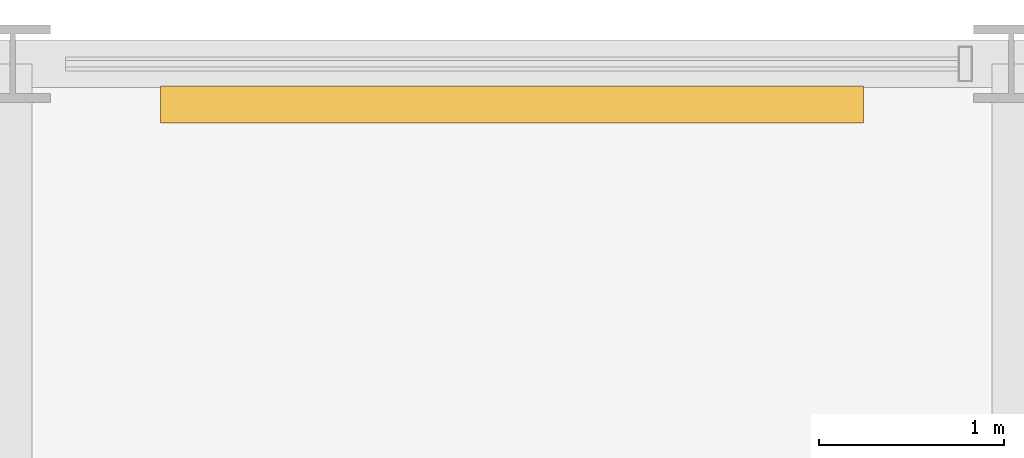
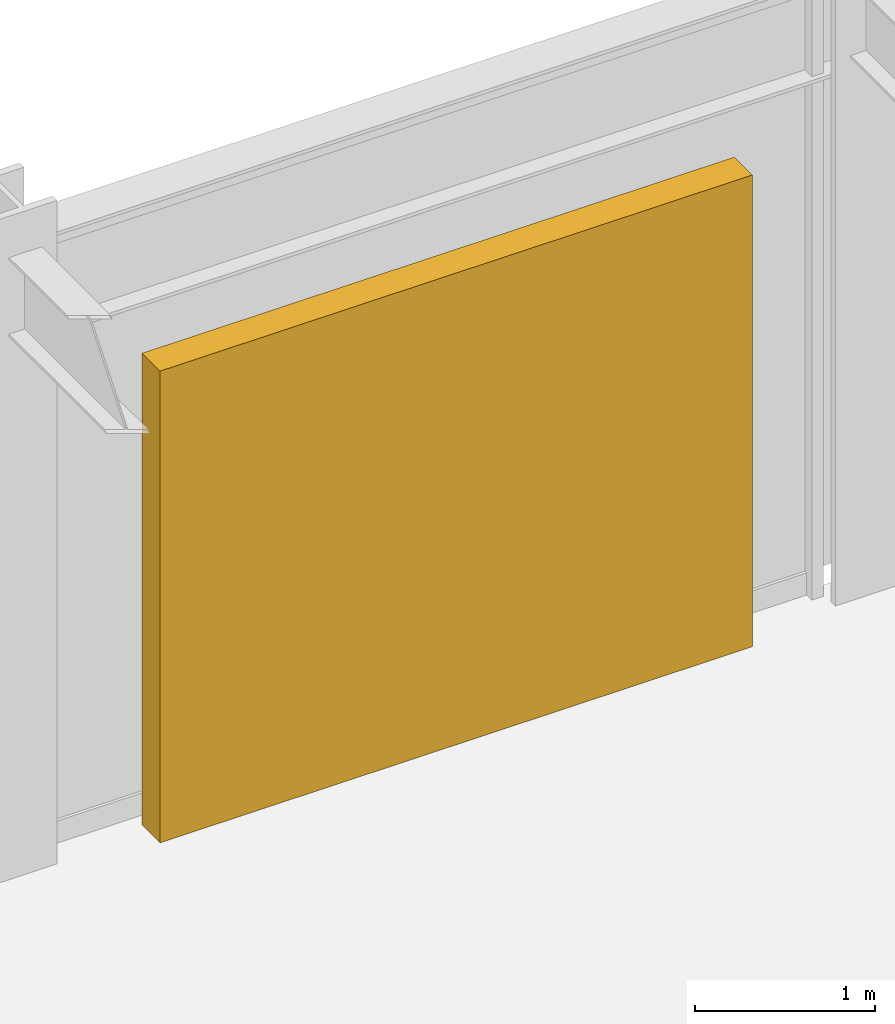
# One storey, part 20 of 21: 1 shading device.
"""IFC4 building model written with IfcOpenShell, lengths in metres."""

from ifc_helpers import new_model, si_unit, direction, frame, origin, origin_2d, place, context, subcontext, project, spatial, rectangle, extrude, material, type_object, element, save


model = new_model("IFC4")

# Units and contexts
model_context = context("Model", 3, precision=1e-05, world=origin(), true_north=direction((0.0, 1.0)))
body_context = subcontext(model_context, "Body", "Model", "MODEL_VIEW")
ifc_project = project(units=[si_unit("LENGTHUNIT", "METRE"), si_unit("AREAUNIT", "SQUARE_METRE"), si_unit("VOLUMEUNIT", "CUBIC_METRE"), si_unit("PLANEANGLEUNIT", "RADIAN"), si_unit("MASSUNIT", "GRAM", prefix="KILO")], contexts=[model_context])

# Site, building, storey
site_placement = place(None, origin())
site = spatial("IfcSite", under=ifc_project, at=site_placement, CompositionType="ELEMENT")
building_placement = place(site_placement, origin())
building = spatial("IfcBuilding", under=site, at=building_placement, Name="Surkhivell Harbour Commons", CompositionType="ELEMENT")
storey_placement = place(building_placement, frame((0.0, 0.0, 346.5)))
storey = spatial("IfcBuildingStorey", under=building, at=storey_placement, Name="L90", CompositionType="ELEMENT", Elevation=346.5)

# Shading device
ifc_material = material(Name="Crown pale-metal storm louvre assembly", Category="aluminium")
shading_device_type = type_object("IfcShadingDeviceType", Name="SHD-LOUV-CRN", PredefinedType="JALOUSIE", material=ifc_material)
shading_device_placement = place(storey_placement, frame((2.699951171875, 21.3798828125, 0.0), z_axis=(0.0, 0.0, 1.0), x_axis=(1.0, 0.0, 0.0)))
element("IfcShadingDevice", 1, at=shading_device_placement, inside=storey, type_object=shading_device_type, Name="L90 Crown Acoustic Louvre Screen 08", PredefinedType="JALOUSIE", context=body_context, shape_type="SweptSolid", body=[
    extrude(rectangle(XDim=3.800048828125, YDim=0.199951171875, at=origin_2d()), origin(), (0.0, 0.0, 1.0), 3.199951171875),
])

save(model, "model.ifc")
